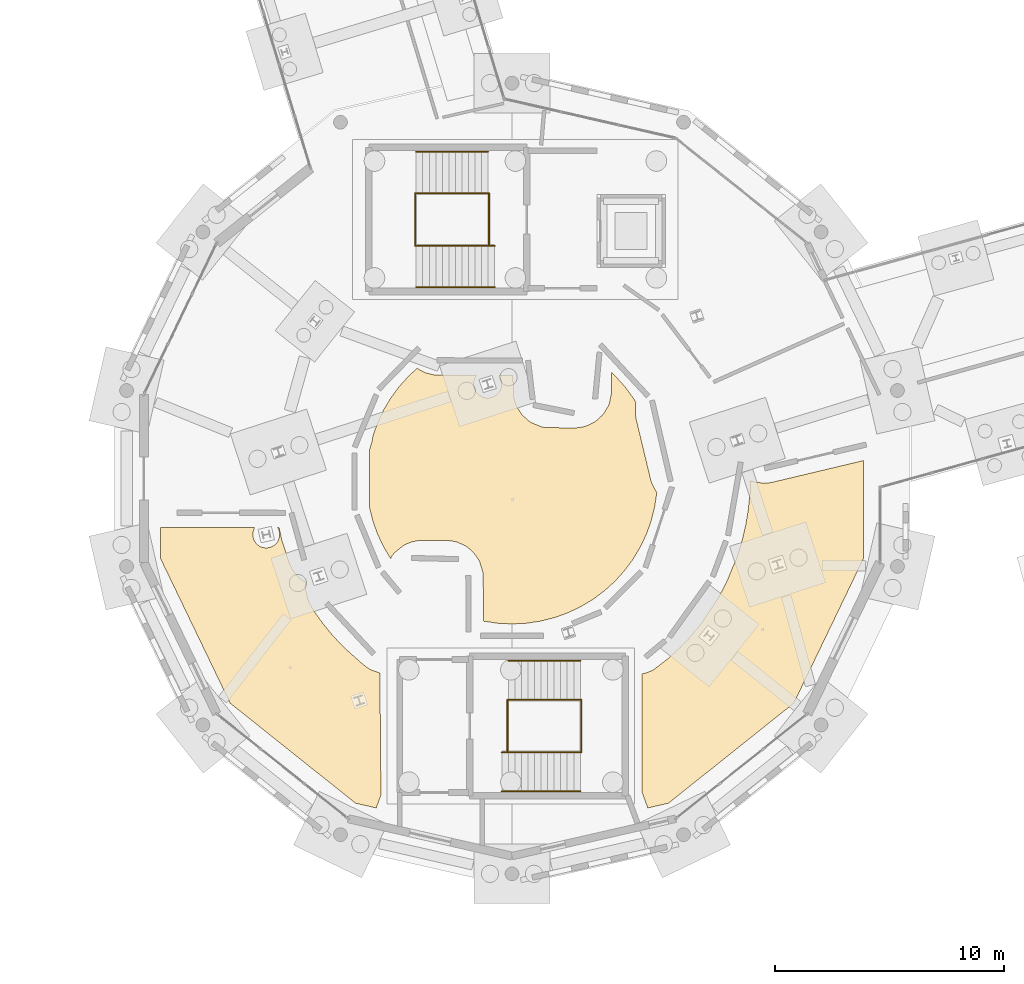
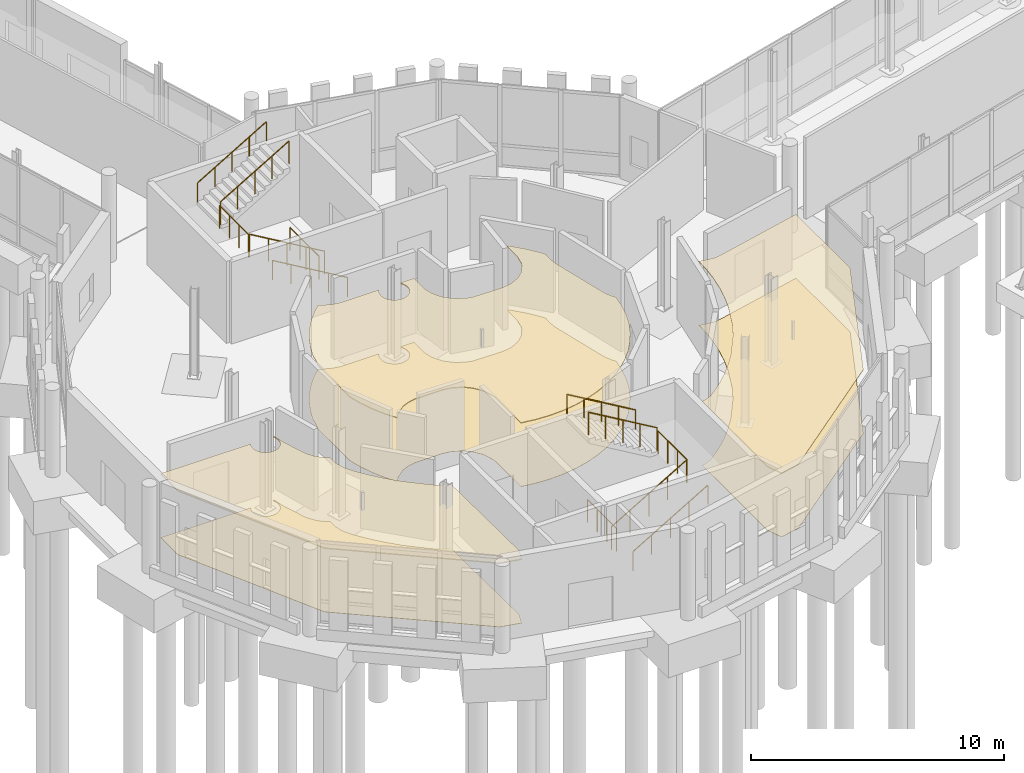
# One storey, part 107 of 113: 12 railings, 6 coverings.
"""IFC4 building model written with IfcOpenShell, lengths in metres."""

import ifcopenshell
import ifcopenshell.guid

model = None  # the IFC model being written
_history = None  # IfcOwnerHistory: only IFC2X3 demands one
_inside = {}  # id of a spatial element -> (the spatial element, [elements in it])
_under = {}  # id of a project, library or spatial element -> (it, [spatial elements below it])
_declared = {}  # id of a project -> (the project, [libraries it declares])
_typed = {}  # id of a type object -> (the type object, [elements of that type])
_made_of = {}  # id of a material, layer set ... -> (it, [elements and type objects made of it])


def new_model(schema):
    """Start an empty IFC model of exactly this schema.

    Asked for "IFC4X3", IfcOpenShell would pick the latest addendum, in which some entities
    have other attributes; the version numbers below select the first issue.
    IFC2X3 requires an IfcOwnerHistory on every rooted entity: one is made here for all.
    """
    global model, _history
    if schema == "IFC4X3":
        model = ifcopenshell.file(schema_version=(4, 3, 0, 0))
    else:
        model = ifcopenshell.file(schema=schema)
    _inside.clear()
    _under.clear()
    _declared.clear()
    _typed.clear()
    _made_of.clear()
    _history = None
    if model.schema == "IFC2X3":
        org = make("IfcOrganization", Name="unknown")
        user = make(
            "IfcPersonAndOrganization",
            ThePerson=make("IfcPerson", FamilyName="unknown"),
            TheOrganization=org,
        )
        app = make(
            "IfcApplication",
            ApplicationDeveloper=org,
            Version="unknown",
            ApplicationFullName="unknown",
            ApplicationIdentifier="unknown",
        )
        _history = make(
            "IfcOwnerHistory",
            OwningUser=user,
            OwningApplication=app,
            ChangeAction="ADDED",
            CreationDate=0,
        )
    return model


def make(cls, **values):
    """One entity of the class cls with the attributes given. An attribute that is None is left unset."""
    return model.create_entity(
        cls, **{name: value for name, value in values.items() if value is not None}
    )


def rooted(cls, **values):
    """An entity with a GlobalId (a new one), such as an element, a storey or a relation."""
    return make(cls, GlobalId=ifcopenshell.guid.new(), OwnerHistory=_history, **values)


def si_unit(unit_type, name, prefix=None):
    """IfcSIUnit, for example si_unit("LENGTHUNIT", "METRE", prefix="MILLI")."""
    return make("IfcSIUnit", UnitType=unit_type, Prefix=prefix, Name=name)


def assignment(units):
    """IfcUnitAssignment: the units of a project."""
    return None if units is None else make("IfcUnitAssignment", Units=units)


def point(xyz):
    """IfcCartesianPoint."""
    return None if xyz is None else make("IfcCartesianPoint", Coordinates=xyz)


def direction(xyz):
    """IfcDirection."""
    return None if xyz is None else make("IfcDirection", DirectionRatios=xyz)


def frame(location, z_axis=None, x_axis=None):
    """IfcAxis2Placement3D, a coordinate frame: its origin and axes. An axis left out is left unset."""
    return make(
        "IfcAxis2Placement3D",
        Location=point(location),
        Axis=direction(z_axis),
        RefDirection=direction(x_axis),
    )


def frame_2d(location, x_axis=None):
    """IfcAxis2Placement2D, a coordinate frame in the plane: its origin and x axis."""
    return make(
        "IfcAxis2Placement2D", Location=point(location), RefDirection=direction(x_axis)
    )


def origin():
    """The frame at (0, 0, 0) with its axes left unset."""
    return frame((0.0, 0.0, 0.0))


def origin_2d():
    """The frame at (0, 0) in the plane with its x axis left unset."""
    return frame_2d((0.0, 0.0))


def place(relative_to, where):
    """IfcLocalPlacement: puts the frame where relative to a parent placement (None: the world)."""
    return make(
        "IfcLocalPlacement", PlacementRelTo=relative_to, RelativePlacement=where
    )


def context(
    kind, dimensions, precision=None, world=None, true_north=None, identifier=None
):
    """IfcGeometricRepresentationContext, for example the 3D "Model" context."""
    return make(
        "IfcGeometricRepresentationContext",
        ContextIdentifier=identifier,
        ContextType=kind,
        CoordinateSpaceDimension=dimensions,
        Precision=precision,
        WorldCoordinateSystem=world,
        TrueNorth=true_north,
    )


def subcontext(parent, identifier, kind, view, scale=None):
    """IfcGeometricRepresentationSubContext, for example "Body" below "Model"."""
    return make(
        "IfcGeometricRepresentationSubContext",
        ContextIdentifier=identifier,
        ContextType=kind,
        ParentContext=parent,
        TargetScale=scale,
        TargetView=view,
    )


def project(units=None, contexts=None):
    """IfcProject with its units and contexts."""
    return rooted(
        "IfcProject",
        Name="project",
        RepresentationContexts=contexts,
        UnitsInContext=assignment(units),
    )


def spatial(cls, under=None, at=None, **own):
    """A site, building, storey or space (cls), placed at a placement, below another one or the project."""
    s = rooted(cls, ObjectPlacement=at, **own)
    if under is not None:
        _under.setdefault(under.id(), (under, []))[1].append(s)
    return s


def polyline(points):
    """IfcPolyline through the points."""
    return make("IfcPolyline", Points=[point(p) for p in points])


def profile(cls, at=None, kind="AREA", **sizes):
    """A parametric profile (cls). Its sizes go by their IFC names, for example OverallWidth=200.0."""
    return make(cls, ProfileType=kind, Position=at, **sizes)


def circle(**sizes):
    """IfcCircleProfileDef."""
    return profile("IfcCircleProfileDef", **sizes)


def outline(outer, holes=None, kind="AREA"):
    """IfcArbitraryClosedProfileDef: a profile drawn as a closed curve; with holes, ...WithVoids."""
    if holes is None:
        return make("IfcArbitraryClosedProfileDef", ProfileType=kind, OuterCurve=outer)
    return make(
        "IfcArbitraryProfileDefWithVoids",
        ProfileType=kind,
        OuterCurve=outer,
        InnerCurves=holes,
    )


def extrude(swept, where, along, depth):
    """IfcExtrudedAreaSolid: the profile swept, set in the frame where, extruded along a direction by depth."""
    return make(
        "IfcExtrudedAreaSolid",
        SweptArea=swept,
        Position=where,
        ExtrudedDirection=direction(along),
        Depth=depth,
    )


def shape(context_of_items, identifier, shape_type, items):
    """IfcShapeRepresentation: the items that make up one representation, for example the "Body"."""
    return make(
        "IfcShapeRepresentation",
        ContextOfItems=context_of_items,
        RepresentationIdentifier=identifier,
        RepresentationType=shape_type,
        Items=items,
    )


def material(Name=None, Category=None):
    """IfcMaterial."""
    return make("IfcMaterial", Name=Name, Category=Category)


def layer(
    of_material, thickness, ventilated=None, Name=None, Category=None, Priority=None
):
    """IfcMaterialLayer: one layer of a wall or slab, of a material (None: an air gap)."""
    return make(
        "IfcMaterialLayer",
        Material=of_material,
        LayerThickness=thickness,
        IsVentilated=ventilated,
        Name=Name,
        Category=Category,
        Priority=Priority,
    )


def layer_set(layers, Name=None):
    """IfcMaterialLayerSet."""
    return make("IfcMaterialLayerSet", MaterialLayers=layers, LayerSetName=Name)


def made_of(thing, what):
    """Note that an element or type object is made of a material, layer set ...; save() writes the relation."""
    if what is not None:
        _made_of.setdefault(what.id(), (what, []))[1].append(thing)
    return thing


def type_object(cls, material=None, **own):
    """A type object (cls), such as IfcWallType, which elements share."""
    return made_of(rooted(cls, **own), material)


def element(
    cls,
    number,
    at=None,
    inside=None,
    cuts=None,
    type_object=None,
    material=None,
    context=None,
    identifier="Body",
    shape_type=None,
    held_by="IfcProductDefinitionShape",
    body=None,
    shapes=None,
    **own,
):
    """One element of the class cls, such as IfcWall. Its Tag is "e" and its number.

    at: its placement. inside: the storey or other place that contains it. cuts: it is an
    opening in that element (IfcRelVoidsElement). A single representation is given by context,
    identifier, shape_type and body (its items); several are given by shapes. held_by: the class
    of the entity that holds the representations. save() writes the other relations.
    """
    e = rooted(cls, Tag="e%d" % number, ObjectPlacement=at, **own)
    if body is not None:
        shapes = [shape(context, identifier, shape_type, body)]
    if shapes is not None:
        e.Representation = make(held_by, Representations=shapes)
    if inside is not None:
        _inside.setdefault(inside.id(), (inside, []))[1].append(e)
    if cuts is not None:
        rooted(
            "IfcRelVoidsElement", RelatingBuildingElement=cuts, RelatedOpeningElement=e
        )
    if type_object is not None:
        _typed.setdefault(type_object.id(), (type_object, []))[1].append(e)
    return made_of(e, material)


def aggregate(whole, parts):
    """IfcRelAggregates: a whole, such as a stair, and the parts it consists of."""
    return rooted("IfcRelAggregates", RelatingObject=whole, RelatedObjects=parts)


def save(model, path):
    """Write the relations noted so far, then the file.

    IfcRelAggregates (storeys below a building ...), IfcRelContainedInSpatialStructure (elements
    in a storey), IfcRelDefinesByType, IfcRelAssociatesMaterial and IfcRelDeclares: one each for
    every whole, place, type object, material and project.
    """
    for whole, parts in _under.values():
        aggregate(whole, parts)
    for where, things in _inside.values():
        rooted(
            "IfcRelContainedInSpatialStructure",
            RelatedElements=things,
            RelatingStructure=where,
        )
    for kind, things in _typed.values():
        rooted("IfcRelDefinesByType", RelatedObjects=things, RelatingType=kind)
    for what, things in _made_of.values():
        rooted("IfcRelAssociatesMaterial", RelatedObjects=things, RelatingMaterial=what)
    for by, libraries in _declared.values():
        rooted("IfcRelDeclares", RelatingContext=by, RelatedDefinitions=libraries)
    model.write(path)


model = new_model("IFC4")

# Units and contexts
model_context = context("Model", 3, precision=1e-05, world=origin(), true_north=direction((0.0, 1.0)))
body_context = subcontext(model_context, "Body", "Model", "MODEL_VIEW")
ifc_project = project(units=[si_unit("LENGTHUNIT", "METRE"), si_unit("AREAUNIT", "SQUARE_METRE"), si_unit("VOLUMEUNIT", "CUBIC_METRE"), si_unit("PLANEANGLEUNIT", "RADIAN"), si_unit("MASSUNIT", "GRAM", prefix="KILO")], contexts=[model_context])

# Site, building, storey
site_placement = place(None, origin())
site = spatial("IfcSite", under=ifc_project, at=site_placement, CompositionType="ELEMENT")
building_placement = place(site_placement, origin())
building = spatial("IfcBuilding", under=site, at=building_placement, Name="Wrenclough Park School", CompositionType="ELEMENT")
storey_placement = place(building_placement, origin())
storey = spatial("IfcBuildingStorey", under=building, at=storey_placement, Name="L00", CompositionType="ELEMENT", Elevation=0.0)

# Coverings
ifc_material_1 = material(Name="Class A mineral-fibre acoustic ceiling raft", Category="gypsum")
ifc_layer_1 = layer(ifc_material_1, 0.044921875)
ifc_layer_set_1 = layer_set([ifc_layer_1], Name="Class A mineral-fibre acoustic ceiling raft")
covering_type_1 = type_object("IfcCoveringType", Name="INT-COV-CEIL", PredefinedType="CEILING", material=ifc_layer_set_1)
covering_1_placement = place(storey_placement, frame((0.0, 0.0, 3.054931640625)))
element("IfcCovering", 1, at=covering_1_placement, inside=storey, type_object=covering_type_1, Name="Drama Black-Box Studio acoustic ceiling raft", PredefinedType="CEILING", context=body_context, shape_type="SweptSolid", body=[
    extrude(outline(polyline([(21.20263671875, 21.357421875), (21.166259765625, 21.36279296875), (21.166259765625, 20.000244140625), (24.203369140625, 13.693603515625), (29.67578125, 9.329345703125), (30.575927734375, 9.1240234375), (30.782470703125, 9.69189453125), (30.735595703125, 15.012451171875), (30.385009765625, 15.132568359375), (30.288818359375, 15.184326171875), (30.112060546875, 15.300048828125), (30.037841796875, 15.356689453125), (29.199462890625, 16.095947265625), (28.690673828125, 16.6337890625), (28.281005859375, 17.12939453125), (27.884765625, 17.6767578125), (27.6630859375, 18.058837890625), (27.635009765625, 18.114013671875), (27.59521484375, 18.231201171875), (27.517333984375, 18.582763671875), (27.51611328125, 18.86376953125), (27.52587890625, 18.965087890625), (27.2958984375, 19.109130859375), (27.215576171875, 19.178955078125), (27.075439453125, 19.322265625), (26.993408203125, 19.425537109375), (26.8466796875, 19.6630859375), (26.816650390625, 19.73583984375), (26.474853515625, 20.74072265625), (26.453857421875, 20.8173828125), (26.342529296875, 21.350341796875), (26.276611328125, 21.350341796875), (26.315185546875, 21.275390625), (26.33447265625, 21.221435546875), (26.348388671875, 21.165771484375), (26.359619140625, 21.052001953125), (26.348388671875, 20.938232421875), (26.33447265625, 20.882568359375), (26.29052734375, 20.77685546875), (26.26123046875, 20.727783203125), (26.22705078125, 20.681884765625), (26.146240234375, 20.600830078125), (26.051025390625, 20.537353515625), (25.999267578125, 20.512939453125), (25.889892578125, 20.479736328125), (25.77587890625, 20.468505859375), (25.662109375, 20.479736328125), (25.552734375, 20.512939453125), (25.5009765625, 20.537353515625), (25.40576171875, 20.600830078125), (25.36328125, 20.639404296875), (25.324951171875, 20.681884765625), (25.261474609375, 20.77685546875), (25.23681640625, 20.82861328125), (25.20361328125, 20.938232421875), (25.1923828125, 21.052001953125), (25.20361328125, 21.165771484375), (25.217529296875, 21.221435546875), (25.23681640625, 21.275390625), (25.27587890625, 21.351318359375), (21.20263671875, 21.357421875)])), origin(), (0.0, 0.0, 1.0), 0.045166015625),
])
covering_2_placement = place(storey_placement, frame((0.0, 0.0, 3.054931640625)))
element("IfcCovering", 2, at=covering_2_placement, inside=storey, type_object=covering_type_1, Name="Music Ensemble Studio 1 acoustic ceiling raft", PredefinedType="CEILING", context=body_context, shape_type="SweptSolid", body=[
    extrude(outline(polyline([(42.241455078125, 14.98681640625), (42.182861328125, 14.97705078125), (42.17041015625, 9.821533203125), (42.424072265625, 9.1240234375), (43.32421875, 9.329345703125), (48.796630859375, 13.693603515625), (51.833740234375, 20.0), (51.833740234375, 24.2802734375), (47.803955078125, 23.320556640625), (47.600341796875, 23.294189453125), (47.469482421875, 23.29052734375), (47.016845703125, 23.36669921875), (46.889404296875, 23.40283203125), (46.877197265625, 22.827880859375), (46.810791015625, 22.150634765625), (46.70068359375, 21.479248046875), (46.547119140625, 20.8193359375), (46.32177734375, 20.0869140625), (45.8564453125, 18.9638671875), (45.499755859375, 18.290771484375), (44.756591796875, 17.1787109375), (44.314208984375, 16.63916015625), (43.84375, 16.1376953125), (43.30029296875, 15.634033203125), (42.719482421875, 15.1865234375), (42.615234375, 15.120849609375), (42.558837890625, 15.095703125), (42.369873046875, 15.022216796875), (42.241455078125, 14.98681640625)])), origin(), (0.0, 0.0, 1.0), 0.045166015625),
])
covering_3_placement = place(storey_placement, frame((0.0, 0.0, 3.054931640625)))
element("IfcCovering", 3, at=covering_3_placement, inside=storey, type_object=covering_type_1, Name="Recital Rehearsal Studio acoustic ceiling raft", PredefinedType="CEILING", context=body_context, shape_type="SweptSolid", body=[
    extrude(outline(polyline([(30.900390625, 20.507080078125), (31.202880859375, 20.002197265625), (31.291015625, 20.15771484375), (31.37060546875, 20.254150390625), (31.755859375, 20.570068359375), (31.868408203125, 20.630126953125), (32.123291015625, 20.73193359375), (32.437744140625, 20.792724609375), (33.614990234375, 20.7998046875), (33.71728515625, 20.7919921875), (34.00439453125, 20.747314453125), (34.1279296875, 20.71533203125), (34.448486328125, 20.564208984375), (34.517822265625, 20.525390625), (34.58203125, 20.478271484375), (34.78759765625, 20.30126953125), (34.837158203125, 20.241943359375), (35.04150390625, 19.95947265625), (35.07470703125, 19.89453125), (35.10009765625, 19.826416015625), (35.231201171875, 19.394775390625), (35.244384765625, 19.265869140625), (35.248779296875, 17.27587890625), (35.877685546875, 17.181396484375), (36.5, 17.15087890625), (37.122314453125, 17.181396484375), (37.738525390625, 17.272705078125), (38.343017578125, 17.42431640625), (38.9296875, 17.634033203125), (39.492919921875, 17.900390625), (40.027587890625, 18.220703125), (40.52783203125, 18.591796875), (40.989501953125, 19.010498046875), (41.408203125, 19.47216796875), (41.779296875, 19.972412109375), (42.099609375, 20.507080078125), (42.365966796875, 21.0703125), (42.57568359375, 21.656982421875), (42.727294921875, 22.261474609375), (42.8193359375, 22.893798828125), (42.76171875, 22.97265625), (42.7333984375, 23.023681640625), (42.610107421875, 23.27197265625), (42.581298828125, 23.33935546875), (42.560302734375, 23.409423828125), (41.912841796875, 26.11181640625), (41.895751953125, 26.23193359375), (41.878173828125, 26.595947265625), (41.88720703125, 26.73974609375), (41.905517578125, 26.816650390625), (41.779296875, 27.027587890625), (41.408203125, 27.52783203125), (40.989501953125, 27.989501953125), (40.849853515625, 28.1162109375), (40.8466796875, 27.268798828125), (40.74658203125, 26.770751953125), (40.720703125, 26.70263671875), (40.687255859375, 26.637939453125), (40.504638671875, 26.33447265625), (40.419921875, 26.239501953125), (40.156982421875, 26.001953125), (40.04833984375, 25.935791015625), (39.727294921875, 25.7841796875), (39.602294921875, 25.752197265625), (39.30810546875, 25.70751953125), (39.198974609375, 25.7001953125), (37.917724609375, 25.724609375), (37.79833984375, 25.74951171875), (37.740966796875, 25.77001953125), (37.3974609375, 25.912353515625), (37.331787109375, 25.944091796875), (37.270263671875, 25.982666015625), (36.951171875, 26.266357421875), (36.87451171875, 26.367919921875), (36.723388671875, 26.615966796875), (36.66796875, 26.73095703125), (36.64892578125, 26.7919921875), (36.576416015625, 27.0732421875), (36.55810546875, 27.17919921875), (36.552490234375, 28.0009765625), (35.91064453125, 28.001708984375), (35.9736328125, 27.90673828125), (35.9990234375, 27.85302734375), (36.03369140625, 27.7392578125), (36.04248046875, 27.680419921875), (36.04248046875, 27.5615234375), (36.03369140625, 27.502685546875), (35.9990234375, 27.388916015625), (35.9736328125, 27.335205078125), (35.90771484375, 27.236328125), (35.86767578125, 27.1923828125), (35.77587890625, 27.116943359375), (35.724853515625, 27.086181640625), (35.6708984375, 27.060791015625), (35.557373046875, 27.0263671875), (35.43896484375, 27.0146484375), (35.379638671875, 27.017578125), (35.32080078125, 27.0263671875), (35.20703125, 27.060791015625), (35.102294921875, 27.116943359375), (35.01025390625, 27.1923828125), (34.97021484375, 27.236328125), (34.904296875, 27.335205078125), (34.87890625, 27.388916015625), (34.84423828125, 27.502685546875), (34.835693359375, 27.5615234375), (34.835693359375, 27.680419921875), (34.84423828125, 27.7392578125), (34.87890625, 27.85302734375), (34.904296875, 27.90673828125), (34.968505859375, 28.0029296875), (33.222900390625, 28.00537109375), (33.14599609375, 28.010009765625), (32.80908203125, 28.08740234375), (32.73486328125, 28.110107421875), (32.4833984375, 28.2353515625), (32.4169921875, 28.27490234375), (32.367431640625, 28.31298828125), (32.010498046875, 27.989501953125), (31.591796875, 27.52783203125), (31.220703125, 27.027587890625), (30.900390625, 26.492919921875), (30.634033203125, 25.9296875), (30.435546875, 25.374755859375), (30.3955078125, 25.11376953125), (30.284423828125, 24.762939453125), (30.284423828125, 22.214599609375), (30.42431640625, 21.656982421875), (30.634033203125, 21.0703125), (30.900390625, 20.507080078125)])), origin(), (0.0, 0.0, 1.0), 0.045166015625),
])
ifc_material_2 = material(Name="Acoustic natural linoleum school flooring", Category="wood")
ifc_layer_2 = layer(ifc_material_2, 0.014892578125)
ifc_layer_set_2 = layer_set([ifc_layer_2], Name="Acoustic natural linoleum school flooring")
covering_type_2 = type_object("IfcCoveringType", Name="INT-COV-FLOOR1", PredefinedType="FLOORING", material=ifc_layer_set_2)
covering_4_placement = place(storey_placement, origin())
element("IfcCovering", 4, at=covering_4_placement, inside=storey, type_object=covering_type_2, Name="Drama Black-Box Studio floor finish", PredefinedType="FLOORING", context=body_context, shape_type="SweptSolid", body=[
    extrude(outline(polyline([(21.20263671875, 21.357421875), (21.166259765625, 21.36279296875), (21.166259765625, 20.000244140625), (24.203369140625, 13.693603515625), (29.67578125, 9.329345703125), (30.575927734375, 9.1240234375), (30.782470703125, 9.69189453125), (30.735595703125, 15.012451171875), (30.385009765625, 15.132568359375), (30.288818359375, 15.184326171875), (30.112060546875, 15.300048828125), (30.037841796875, 15.356689453125), (29.199462890625, 16.095947265625), (28.690673828125, 16.6337890625), (28.281005859375, 17.12939453125), (27.884765625, 17.6767578125), (27.6630859375, 18.058837890625), (27.635009765625, 18.114013671875), (27.59521484375, 18.231201171875), (27.517333984375, 18.582763671875), (27.51611328125, 18.86376953125), (27.52587890625, 18.965087890625), (27.2958984375, 19.109130859375), (27.215576171875, 19.178955078125), (27.075439453125, 19.322265625), (26.993408203125, 19.425537109375), (26.8466796875, 19.6630859375), (26.816650390625, 19.73583984375), (26.474853515625, 20.74072265625), (26.453857421875, 20.8173828125), (26.342529296875, 21.350341796875), (26.276611328125, 21.350341796875), (26.315185546875, 21.275390625), (26.33447265625, 21.221435546875), (26.348388671875, 21.165771484375), (26.359619140625, 21.052001953125), (26.348388671875, 20.938232421875), (26.33447265625, 20.882568359375), (26.29052734375, 20.77685546875), (26.26123046875, 20.727783203125), (26.22705078125, 20.681884765625), (26.146240234375, 20.600830078125), (26.051025390625, 20.537353515625), (25.999267578125, 20.512939453125), (25.889892578125, 20.479736328125), (25.77587890625, 20.468505859375), (25.662109375, 20.479736328125), (25.552734375, 20.512939453125), (25.5009765625, 20.537353515625), (25.40576171875, 20.600830078125), (25.36328125, 20.639404296875), (25.324951171875, 20.681884765625), (25.261474609375, 20.77685546875), (25.23681640625, 20.82861328125), (25.20361328125, 20.938232421875), (25.1923828125, 21.052001953125), (25.20361328125, 21.165771484375), (25.217529296875, 21.221435546875), (25.23681640625, 21.275390625), (25.27587890625, 21.351318359375), (21.20263671875, 21.357421875)])), origin(), (0.0, 0.0, 1.0), 0.014892578125),
])
covering_5_placement = place(storey_placement, origin())
element("IfcCovering", 5, at=covering_5_placement, inside=storey, type_object=covering_type_2, Name="Music Ensemble Studio 1 floor finish", PredefinedType="FLOORING", context=body_context, shape_type="SweptSolid", body=[
    extrude(outline(polyline([(42.241455078125, 14.98681640625), (42.182861328125, 14.97705078125), (42.17041015625, 9.821533203125), (42.424072265625, 9.1240234375), (43.32421875, 9.329345703125), (48.796630859375, 13.693603515625), (51.833740234375, 20.0), (51.833740234375, 24.2802734375), (47.803955078125, 23.320556640625), (47.600341796875, 23.294189453125), (47.469482421875, 23.29052734375), (47.016845703125, 23.36669921875), (46.889404296875, 23.40283203125), (46.877197265625, 22.827880859375), (46.810791015625, 22.150634765625), (46.70068359375, 21.479248046875), (46.547119140625, 20.8193359375), (46.32177734375, 20.0869140625), (45.8564453125, 18.9638671875), (45.499755859375, 18.290771484375), (44.756591796875, 17.1787109375), (44.314208984375, 16.63916015625), (43.84375, 16.1376953125), (43.30029296875, 15.634033203125), (42.719482421875, 15.1865234375), (42.615234375, 15.120849609375), (42.558837890625, 15.095703125), (42.369873046875, 15.022216796875), (42.241455078125, 14.98681640625)])), origin(), (0.0, 0.0, 1.0), 0.014892578125),
])
covering_6_placement = place(storey_placement, origin())
element("IfcCovering", 6, at=covering_6_placement, inside=storey, type_object=covering_type_2, Name="Recital Rehearsal Studio floor finish", PredefinedType="FLOORING", context=body_context, shape_type="SweptSolid", body=[
    extrude(outline(polyline([(30.900390625, 20.507080078125), (31.202880859375, 20.002197265625), (31.291015625, 20.15771484375), (31.37060546875, 20.254150390625), (31.755859375, 20.570068359375), (31.868408203125, 20.630126953125), (32.123291015625, 20.73193359375), (32.437744140625, 20.792724609375), (33.614990234375, 20.7998046875), (33.71728515625, 20.7919921875), (34.00439453125, 20.747314453125), (34.1279296875, 20.71533203125), (34.448486328125, 20.564208984375), (34.517822265625, 20.525390625), (34.58203125, 20.478271484375), (34.78759765625, 20.30126953125), (34.837158203125, 20.241943359375), (35.04150390625, 19.95947265625), (35.07470703125, 19.89453125), (35.10009765625, 19.826416015625), (35.231201171875, 19.394775390625), (35.244384765625, 19.265869140625), (35.248779296875, 17.27587890625), (35.877685546875, 17.181396484375), (36.5, 17.15087890625), (37.122314453125, 17.181396484375), (37.738525390625, 17.272705078125), (38.343017578125, 17.42431640625), (38.9296875, 17.634033203125), (39.492919921875, 17.900390625), (40.027587890625, 18.220703125), (40.52783203125, 18.591796875), (40.989501953125, 19.010498046875), (41.408203125, 19.47216796875), (41.779296875, 19.972412109375), (42.099609375, 20.507080078125), (42.365966796875, 21.0703125), (42.57568359375, 21.656982421875), (42.727294921875, 22.261474609375), (42.8193359375, 22.893798828125), (42.76171875, 22.97265625), (42.7333984375, 23.023681640625), (42.610107421875, 23.27197265625), (42.581298828125, 23.33935546875), (42.560302734375, 23.409423828125), (41.912841796875, 26.11181640625), (41.895751953125, 26.23193359375), (41.878173828125, 26.595947265625), (41.88720703125, 26.73974609375), (41.905517578125, 26.816650390625), (41.779296875, 27.027587890625), (41.408203125, 27.52783203125), (40.989501953125, 27.989501953125), (40.849853515625, 28.1162109375), (40.8466796875, 27.268798828125), (40.74658203125, 26.770751953125), (40.720703125, 26.70263671875), (40.687255859375, 26.637939453125), (40.504638671875, 26.33447265625), (40.419921875, 26.239501953125), (40.156982421875, 26.001953125), (40.04833984375, 25.935791015625), (39.727294921875, 25.7841796875), (39.602294921875, 25.752197265625), (39.30810546875, 25.70751953125), (39.198974609375, 25.7001953125), (37.917724609375, 25.724609375), (37.79833984375, 25.74951171875), (37.740966796875, 25.77001953125), (37.3974609375, 25.912353515625), (37.331787109375, 25.944091796875), (37.270263671875, 25.982666015625), (36.951171875, 26.266357421875), (36.87451171875, 26.367919921875), (36.723388671875, 26.615966796875), (36.66796875, 26.73095703125), (36.64892578125, 26.7919921875), (36.576416015625, 27.0732421875), (36.55810546875, 27.17919921875), (36.552490234375, 28.0009765625), (35.91064453125, 28.001708984375), (35.9736328125, 27.90673828125), (35.9990234375, 27.85302734375), (36.03369140625, 27.7392578125), (36.04248046875, 27.680419921875), (36.04248046875, 27.5615234375), (36.03369140625, 27.502685546875), (35.9990234375, 27.388916015625), (35.9736328125, 27.335205078125), (35.90771484375, 27.236328125), (35.86767578125, 27.1923828125), (35.77587890625, 27.116943359375), (35.724853515625, 27.086181640625), (35.6708984375, 27.060791015625), (35.557373046875, 27.0263671875), (35.43896484375, 27.0146484375), (35.379638671875, 27.017578125), (35.32080078125, 27.0263671875), (35.20703125, 27.060791015625), (35.102294921875, 27.116943359375), (35.01025390625, 27.1923828125), (34.97021484375, 27.236328125), (34.904296875, 27.335205078125), (34.87890625, 27.388916015625), (34.84423828125, 27.502685546875), (34.835693359375, 27.5615234375), (34.835693359375, 27.680419921875), (34.84423828125, 27.7392578125), (34.87890625, 27.85302734375), (34.904296875, 27.90673828125), (34.968505859375, 28.0029296875), (33.222900390625, 28.00537109375), (33.14599609375, 28.010009765625), (32.80908203125, 28.08740234375), (32.73486328125, 28.110107421875), (32.4833984375, 28.2353515625), (32.4169921875, 28.27490234375), (32.367431640625, 28.31298828125), (32.010498046875, 27.989501953125), (31.591796875, 27.52783203125), (31.220703125, 27.027587890625), (30.900390625, 26.492919921875), (30.634033203125, 25.9296875), (30.435546875, 25.374755859375), (30.3955078125, 25.11376953125), (30.284423828125, 24.762939453125), (30.284423828125, 22.214599609375), (30.42431640625, 21.656982421875), (30.634033203125, 21.0703125), (30.900390625, 20.507080078125)])), origin(), (0.0, 0.0, 1.0), 0.014892578125),
])

# Railings
ifc_material_3 = material(Name="Powder-coated steel vertical-baluster stair and atrium guard", Category="steel")
railing_type_1 = type_object("IfcRailingType", Name="INT-RL-GD1120", PredefinedType="GUARDRAIL", material=ifc_material_3)
railing_1_placement = place(storey_placement, frame((35.4951171875, 33.64990234375, 0.0)))
element("IfcRailing", 7, at=railing_1_placement, inside=storey, type_object=railing_type_1, Name="ST-02 L00 well guard 1", PredefinedType="GUARDRAIL", context=body_context, shape_type="SweptSolid", body=[
    extrude(circle(Radius=0.02392578125, at=origin_2d()), frame((0.0, 0.0, 1.09619140625), z_axis=(0.0, 1.0, 0.0), x_axis=(-1.0, 0.0, 0.0)), (0.0, 0.0, 1.0), 2.300048828125),
    extrude(circle(Radius=0.02099609375, at=origin_2d()), origin(), (0.0, 0.0, 1.0), 1.072021484375),
    extrude(circle(Radius=0.02099609375, at=origin_2d()), frame((0.0, 0.7666015625, 0.0)), (0.0, 0.0, 1.0), 1.072021484375),
    extrude(circle(Radius=0.02099609375, at=origin_2d()), frame((0.0, 1.533447265625, 0.0)), (0.0, 0.0, 1.0), 1.072021484375),
    extrude(circle(Radius=0.02099609375, at=origin_2d()), frame((0.0, 2.300048828125, 0.0)), (0.0, 0.0, 1.0), 1.072021484375),
])
railing_2_placement = place(storey_placement, frame((35.739990234375, 33.64990234375, 0.16796875)))
element("IfcRailing", 8, at=railing_2_placement, inside=storey, type_object=railing_type_1, Name="ST-02 L00 well guard 2", PredefinedType="GUARDRAIL", context=body_context, shape_type="SweptSolid", body=[
    extrude(circle(Radius=0.02392578125, at=origin_2d()), frame((0.0, 0.0, 1.09619140625), z_axis=(-0.861450067461, 0.0, 0.507842279918), x_axis=(0.0, -1.0, 0.0)), (0.0, 0.0, 1.0), 3.969970703125),
    extrude(circle(Radius=0.02099609375, at=origin_2d()), origin(), (0.0, 0.0, 1.0), 1.072021484375),
    extrude(circle(Radius=0.02099609375, at=origin_2d()), frame((-0.85498046875, 0.0, 0.50390625)), (0.0, 0.0, 1.0), 1.072021484375),
    extrude(circle(Radius=0.02099609375, at=origin_2d()), frame((-1.7099609375, 0.0, 1.008056640625)), (0.0, 0.0, 1.0), 1.072021484375),
    extrude(circle(Radius=0.02099609375, at=origin_2d()), frame((-2.56494140625, 0.0, 1.51220703125)), (0.0, 0.0, 1.0), 1.072021484375),
    extrude(circle(Radius=0.02099609375, at=origin_2d()), frame((-3.419921875, 0.0, 2.01611328125)), (0.0, 0.0, 1.0), 1.072021484375),
])
railing_3_placement = place(storey_placement, frame((32.280029296875, 33.64990234375, 2.18408203125)))
element("IfcRailing", 9, at=railing_3_placement, inside=storey, type_object=railing_type_1, Name="ST-02 L00 well guard 3", PredefinedType="GUARDRAIL", context=body_context, shape_type="SweptSolid", body=[
    extrude(circle(Radius=0.02392578125, at=origin_2d()), frame((0.0, 0.0, 1.09619140625), z_axis=(0.0, 1.0, 0.0), x_axis=(-1.0, 0.0, 0.0)), (0.0, 0.0, 1.0), 2.300048828125),
    extrude(circle(Radius=0.02099609375, at=origin_2d()), origin(), (0.0, 0.0, 1.0), 1.072021484375),
    extrude(circle(Radius=0.02099609375, at=origin_2d()), frame((0.0, 0.7666015625, 0.0)), (0.0, 0.0, 1.0), 1.072021484375),
    extrude(circle(Radius=0.02099609375, at=origin_2d()), frame((0.0, 1.533447265625, 0.0)), (0.0, 0.0, 1.0), 1.072021484375),
    extrude(circle(Radius=0.02099609375, at=origin_2d()), frame((0.0, 2.300048828125, 0.0)), (0.0, 0.0, 1.0), 1.072021484375),
])
railing_4_placement = place(storey_placement, frame((32.320068359375, 35.949951171875, 2.35205078125)))
element("IfcRailing", 10, at=railing_4_placement, inside=storey, type_object=railing_type_1, Name="ST-02 L00 well guard 4", PredefinedType="GUARDRAIL", context=body_context, shape_type="SweptSolid", body=[
    extrude(circle(Radius=0.02392578125, at=origin_2d()), frame((0.0, 0.0, 1.09619140625), z_axis=(0.861480291558, 0.0, 0.50779100746), x_axis=(0.0, 1.0, 0.0)), (0.0, 0.0, 1.0), 3.63916015625),
    extrude(circle(Radius=0.02099609375, at=origin_2d()), origin(), (0.0, 0.0, 1.0), 1.072021484375),
    extrude(circle(Radius=0.02099609375, at=origin_2d()), frame((0.78369140625, 0.0, 0.4619140625)), (0.0, 0.0, 1.0), 1.072021484375),
    extrude(circle(Radius=0.02099609375, at=origin_2d()), frame((1.5673828125, 0.0, 0.923828125)), (0.0, 0.0, 1.0), 1.072021484375),
    extrude(circle(Radius=0.02099609375, at=origin_2d()), frame((2.351318359375, 0.0, 1.385986328125)), (0.0, 0.0, 1.0), 1.072021484375),
    extrude(circle(Radius=0.02099609375, at=origin_2d()), frame((3.135009765625, 0.0, 1.847900390625)), (0.0, 0.0, 1.0), 1.072021484375),
])
railing_5_placement = place(storey_placement, frame((36.304931640625, 11.550048828125, 0.0)))
element("IfcRailing", 11, at=railing_5_placement, inside=storey, type_object=railing_type_1, Name="ST-13 L00 well guard 1", PredefinedType="GUARDRAIL", context=body_context, shape_type="SweptSolid", body=[
    extrude(circle(Radius=0.02392578125, at=origin_2d()), frame((0.0, 0.0, 1.09619140625), z_axis=(0.0, 1.0, 0.0), x_axis=(-1.0, 0.0, 0.0)), (0.0, 0.0, 1.0), 2.300048828125),
    extrude(circle(Radius=0.02099609375, at=origin_2d()), origin(), (0.0, 0.0, 1.0), 1.072021484375),
    extrude(circle(Radius=0.02099609375, at=origin_2d()), frame((0.0, 0.7666015625, 0.0)), (0.0, 0.0, 1.0), 1.072021484375),
    extrude(circle(Radius=0.02099609375, at=origin_2d()), frame((0.0, 1.533447265625, 0.0)), (0.0, 0.0, 1.0), 1.072021484375),
    extrude(circle(Radius=0.02099609375, at=origin_2d()), frame((0.0, 2.300048828125, 0.0)), (0.0, 0.0, 1.0), 1.072021484375),
])
railing_6_placement = place(storey_placement, frame((36.06005859375, 11.550048828125, 0.16796875)))
element("IfcRailing", 12, at=railing_6_placement, inside=storey, type_object=railing_type_1, Name="ST-13 L00 well guard 2", PredefinedType="GUARDRAIL", context=body_context, shape_type="SweptSolid", body=[
    extrude(circle(Radius=0.02392578125, at=origin_2d()), frame((0.0, 0.0, 1.09619140625), z_axis=(0.861450067461, 0.0, 0.507842279918), x_axis=(0.0, 1.0, 0.0)), (0.0, 0.0, 1.0), 3.969970703125),
    extrude(circle(Radius=0.02099609375, at=origin_2d()), origin(), (0.0, 0.0, 1.0), 1.072021484375),
    extrude(circle(Radius=0.02099609375, at=origin_2d()), frame((0.85498046875, 0.0, 0.50390625)), (0.0, 0.0, 1.0), 1.072021484375),
    extrude(circle(Radius=0.02099609375, at=origin_2d()), frame((1.7099609375, 0.0, 1.008056640625)), (0.0, 0.0, 1.0), 1.072021484375),
    extrude(circle(Radius=0.02099609375, at=origin_2d()), frame((2.56494140625, 0.0, 1.51220703125)), (0.0, 0.0, 1.0), 1.072021484375),
    extrude(circle(Radius=0.02099609375, at=origin_2d()), frame((3.419921875, 0.0, 2.01611328125)), (0.0, 0.0, 1.0), 1.072021484375),
])
railing_7_placement = place(storey_placement, frame((39.52001953125, 11.550048828125, 2.18408203125)))
element("IfcRailing", 13, at=railing_7_placement, inside=storey, type_object=railing_type_1, Name="ST-13 L00 well guard 3", PredefinedType="GUARDRAIL", context=body_context, shape_type="SweptSolid", body=[
    extrude(circle(Radius=0.02392578125, at=origin_2d()), frame((0.0, 0.0, 1.09619140625), z_axis=(0.0, 1.0, 0.0), x_axis=(-1.0, 0.0, 0.0)), (0.0, 0.0, 1.0), 2.300048828125),
    extrude(circle(Radius=0.02099609375, at=origin_2d()), origin(), (0.0, 0.0, 1.0), 1.072021484375),
    extrude(circle(Radius=0.02099609375, at=origin_2d()), frame((0.0, 0.7666015625, 0.0)), (0.0, 0.0, 1.0), 1.072021484375),
    extrude(circle(Radius=0.02099609375, at=origin_2d()), frame((0.0, 1.533447265625, 0.0)), (0.0, 0.0, 1.0), 1.072021484375),
    extrude(circle(Radius=0.02099609375, at=origin_2d()), frame((0.0, 2.300048828125, 0.0)), (0.0, 0.0, 1.0), 1.072021484375),
])
railing_8_placement = place(storey_placement, frame((39.47998046875, 13.85009765625, 2.35205078125)))
element("IfcRailing", 14, at=railing_8_placement, inside=storey, type_object=railing_type_1, Name="ST-13 L00 well guard 4", PredefinedType="GUARDRAIL", context=body_context, shape_type="SweptSolid", body=[
    extrude(circle(Radius=0.02392578125, at=origin_2d()), frame((0.0, 0.0, 1.09619140625), z_axis=(-0.861480291558, 0.0, 0.50779100746), x_axis=(0.0, -1.0, 0.0)), (0.0, 0.0, 1.0), 3.63916015625),
    extrude(circle(Radius=0.02099609375, at=origin_2d()), origin(), (0.0, 0.0, 1.0), 1.072021484375),
    extrude(circle(Radius=0.02099609375, at=origin_2d()), frame((-0.78369140625, 0.0, 0.4619140625)), (0.0, 0.0, 1.0), 1.072021484375),
    extrude(circle(Radius=0.02099609375, at=origin_2d()), frame((-1.5673828125, 0.0, 0.923828125)), (0.0, 0.0, 1.0), 1.072021484375),
    extrude(circle(Radius=0.02099609375, at=origin_2d()), frame((-2.351318359375, 0.0, 1.385986328125)), (0.0, 0.0, 1.0), 1.072021484375),
    extrude(circle(Radius=0.02099609375, at=origin_2d()), frame((-3.135009765625, 0.0, 1.847900390625)), (0.0, 0.0, 1.0), 1.072021484375),
])
ifc_material_4 = material(Name="Brushed stainless steel tubular handrail", Category="steel")
railing_type_2 = type_object("IfcRailingType", Name="INT-RL-HR950", PredefinedType="HANDRAIL", material=ifc_material_4)
railing_9_placement = place(storey_placement, frame((35.739990234375, 31.85009765625, 0.16796875)))
element("IfcRailing", 15, at=railing_9_placement, inside=storey, type_object=railing_type_2, Name="ST-02 L00 pitch handrail 1", PredefinedType="HANDRAIL", context=body_context, shape_type="SweptSolid", body=[
    extrude(circle(Radius=0.02392578125, at=origin_2d()), frame((0.0, 0.0, 0.92578125), z_axis=(-0.861450067461, 0.0, 0.507842279918), x_axis=(0.0, -1.0, 0.0)), (0.0, 0.0, 1.0), 3.969970703125),
    extrude(circle(Radius=0.02099609375, at=origin_2d()), origin(), (0.0, 0.0, 1.0), 0.90185546875),
    extrude(circle(Radius=0.02099609375, at=origin_2d()), frame((-0.85498046875, 0.0, 0.50390625)), (0.0, 0.0, 1.0), 0.90185546875),
    extrude(circle(Radius=0.02099609375, at=origin_2d()), frame((-1.7099609375, 0.0, 1.008056640625)), (0.0, 0.0, 1.0), 0.90185546875),
    extrude(circle(Radius=0.02099609375, at=origin_2d()), frame((-2.56494140625, 0.0, 1.51220703125)), (0.0, 0.0, 1.0), 0.90185546875),
    extrude(circle(Radius=0.02099609375, at=origin_2d()), frame((-3.419921875, 0.0, 2.01611328125)), (0.0, 0.0, 1.0), 0.90185546875),
])
railing_10_placement = place(storey_placement, frame((32.320068359375, 37.75, 2.35205078125)))
element("IfcRailing", 16, at=railing_10_placement, inside=storey, type_object=railing_type_2, Name="ST-02 L00 pitch handrail 2", PredefinedType="HANDRAIL", context=body_context, shape_type="SweptSolid", body=[
    extrude(circle(Radius=0.02392578125, at=origin_2d()), frame((0.0, 0.0, 0.92578125), z_axis=(0.861480291558, 0.0, 0.50779100746), x_axis=(0.0, 1.0, 0.0)), (0.0, 0.0, 1.0), 3.63916015625),
    extrude(circle(Radius=0.02099609375, at=origin_2d()), origin(), (0.0, 0.0, 1.0), 0.90185546875),
    extrude(circle(Radius=0.02099609375, at=origin_2d()), frame((0.78369140625, 0.0, 0.4619140625)), (0.0, 0.0, 1.0), 0.90185546875),
    extrude(circle(Radius=0.02099609375, at=origin_2d()), frame((1.5673828125, 0.0, 0.923828125)), (0.0, 0.0, 1.0), 0.90185546875),
    extrude(circle(Radius=0.02099609375, at=origin_2d()), frame((2.351318359375, 0.0, 1.385986328125)), (0.0, 0.0, 1.0), 0.90185546875),
    extrude(circle(Radius=0.02099609375, at=origin_2d()), frame((3.135009765625, 0.0, 1.847900390625)), (0.0, 0.0, 1.0), 0.90185546875),
])
railing_11_placement = place(storey_placement, frame((36.06005859375, 9.85009765625, 0.16796875)))
element("IfcRailing", 17, at=railing_11_placement, inside=storey, type_object=railing_type_2, Name="ST-13 L00 pitch handrail 1", PredefinedType="HANDRAIL", context=body_context, shape_type="SweptSolid", body=[
    extrude(circle(Radius=0.02392578125, at=origin_2d()), frame((0.0, 0.0, 0.92578125), z_axis=(0.861450067461, 0.0, 0.507842279918), x_axis=(0.0, 1.0, 0.0)), (0.0, 0.0, 1.0), 3.969970703125),
    extrude(circle(Radius=0.02099609375, at=origin_2d()), origin(), (0.0, 0.0, 1.0), 0.90185546875),
    extrude(circle(Radius=0.02099609375, at=origin_2d()), frame((0.85498046875, 0.0, 0.50390625)), (0.0, 0.0, 1.0), 0.90185546875),
    extrude(circle(Radius=0.02099609375, at=origin_2d()), frame((1.7099609375, 0.0, 1.008056640625)), (0.0, 0.0, 1.0), 0.90185546875),
    extrude(circle(Radius=0.02099609375, at=origin_2d()), frame((2.56494140625, 0.0, 1.51220703125)), (0.0, 0.0, 1.0), 0.90185546875),
    extrude(circle(Radius=0.02099609375, at=origin_2d()), frame((3.419921875, 0.0, 2.01611328125)), (0.0, 0.0, 1.0), 0.90185546875),
])
railing_12_placement = place(storey_placement, frame((39.47998046875, 15.550048828125, 2.35205078125)))
element("IfcRailing", 18, at=railing_12_placement, inside=storey, type_object=railing_type_2, Name="ST-13 L00 pitch handrail 2", PredefinedType="HANDRAIL", context=body_context, shape_type="SweptSolid", body=[
    extrude(circle(Radius=0.02392578125, at=origin_2d()), frame((0.0, 0.0, 0.92578125), z_axis=(-0.861480291558, 0.0, 0.50779100746), x_axis=(0.0, -1.0, 0.0)), (0.0, 0.0, 1.0), 3.63916015625),
    extrude(circle(Radius=0.02099609375, at=origin_2d()), origin(), (0.0, 0.0, 1.0), 0.90185546875),
    extrude(circle(Radius=0.02099609375, at=origin_2d()), frame((-0.78369140625, 0.0, 0.4619140625)), (0.0, 0.0, 1.0), 0.90185546875),
    extrude(circle(Radius=0.02099609375, at=origin_2d()), frame((-1.5673828125, 0.0, 0.923828125)), (0.0, 0.0, 1.0), 0.90185546875),
    extrude(circle(Radius=0.02099609375, at=origin_2d()), frame((-2.351318359375, 0.0, 1.385986328125)), (0.0, 0.0, 1.0), 0.90185546875),
    extrude(circle(Radius=0.02099609375, at=origin_2d()), frame((-3.135009765625, 0.0, 1.847900390625)), (0.0, 0.0, 1.0), 0.90185546875),
])

save(model, "model.ifc")
